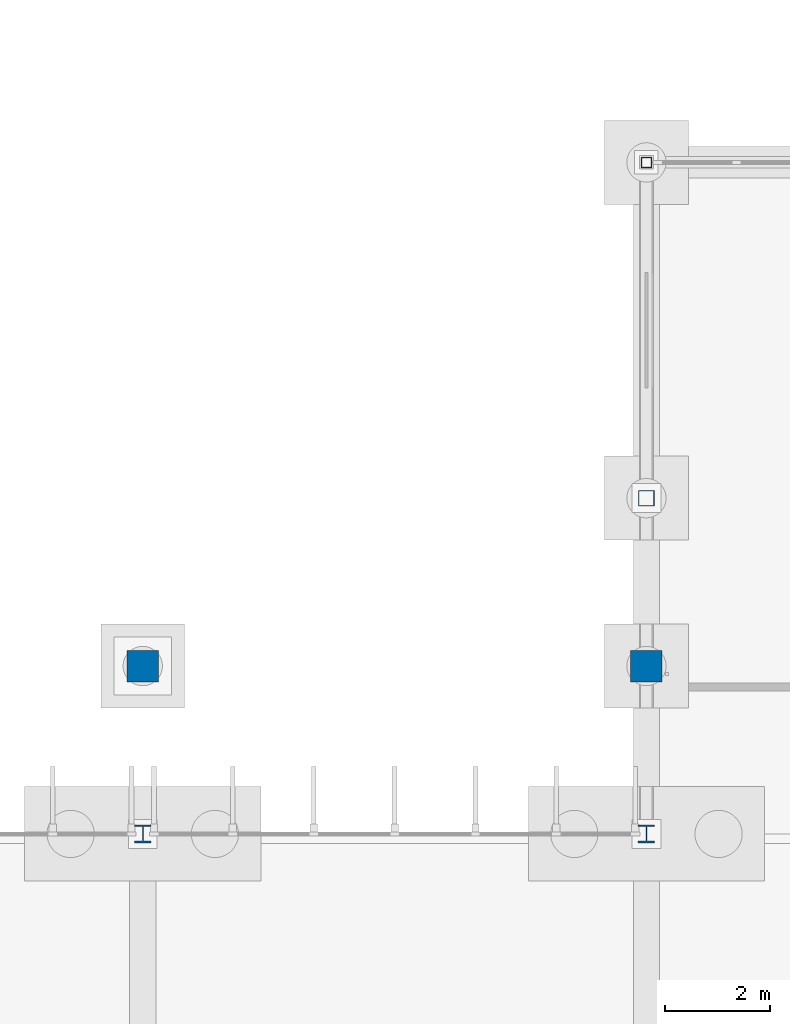
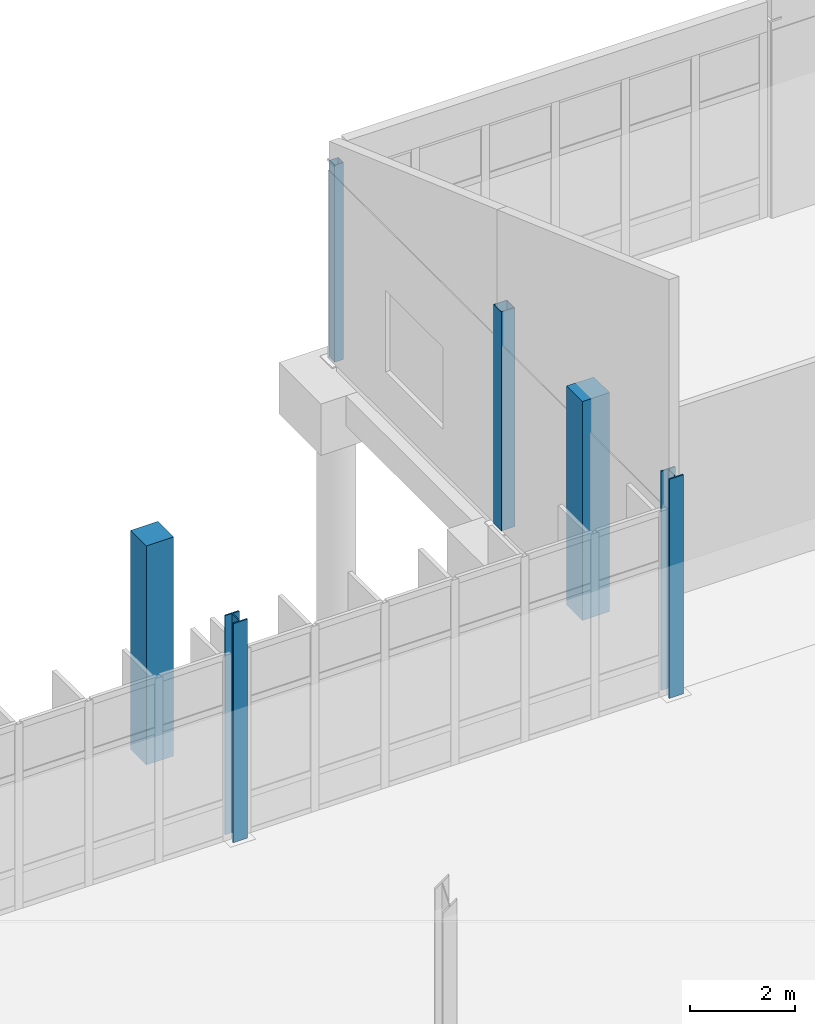
# One storey, part 10 of 111: 6 columns.
"""IFC4 building model written with IfcOpenShell, lengths in metres."""

from ifc_helpers import new_model, si_unit, direction, frame, origin, origin_2d, place, context, subcontext, project, spatial, rectangle, hollow_rectangle, i_section, extrude, material, material_profile, profile_set, type_object, element, save


model = new_model("IFC4")

# Units and contexts
model_context = context("Model", 3, precision=1e-05, world=origin(), true_north=direction((0.0, 1.0)))
body_context = subcontext(model_context, "Body", "Model", "MODEL_VIEW")
ifc_project = project(units=[si_unit("LENGTHUNIT", "METRE"), si_unit("AREAUNIT", "SQUARE_METRE"), si_unit("VOLUMEUNIT", "CUBIC_METRE"), si_unit("PLANEANGLEUNIT", "RADIAN"), si_unit("MASSUNIT", "GRAM", prefix="KILO")], contexts=[model_context])

# Site, building, storey
site_placement = place(None, origin())
site = spatial("IfcSite", under=ifc_project, at=site_placement, CompositionType="ELEMENT")
building_placement = place(site_placement, origin())
building = spatial("IfcBuilding", under=site, at=building_placement, Name="Dunescarp Central Library", CompositionType="ELEMENT")
storey_placement = place(building_placement, origin())
storey = spatial("IfcBuildingStorey", under=building, at=storey_placement, Name="L00", CompositionType="ELEMENT", Elevation=0.0)

# Columns
ifc_material_1 = material(Name="Concrete C40/50", Category="concrete")
ifc_material_profile_1 = material_profile(ifc_material_1, rectangle(XDim=0.60009765625, YDim=0.60009765625, at=origin_2d()), Name="RC 600x600")
ifc_profile_set_1 = profile_set([ifc_material_profile_1], Name="Concrete C40/50")
column_type_1 = type_object("IfcColumnType", Name="STR-COL-RC600", PredefinedType="COLUMN", material=ifc_profile_set_1)
for number, where, z_axis, x_axis, name in (
    (1, (48.0, 40.0, 0.0), (0.0, 0.0, 1.0), (1.0, 0.0, 0.0), "L00 column TERP-480-400"),
    (2, (57.60009765625, 40.0, 0.0), (0.0, 0.0, 1.0), (1.0, 0.0, 0.0), "L00 column TERP-576-400"),
):
    element("IfcColumn", number, at=place(storey_placement, frame(where, z_axis=z_axis, x_axis=x_axis)), inside=storey, type_object=column_type_1, Name=name, PredefinedType="COLUMN", context=body_context, shape_type="SweptSolid", body=[
        extrude(rectangle(XDim=0.60009765625, YDim=0.60009765625, at=origin_2d()), origin(), (0.0, 0.0, 1.0), 5.10009765625),
    ])
ifc_material_2 = material(Name="Steel S355J0", Category="steel")
ifc_material_profile_2 = material_profile(ifc_material_2, hollow_rectangle(XDim=0.199951171875, YDim=0.199951171875, WallThickness=0.008056640625, at=origin_2d()), Name="SHS 200x200x8")
ifc_profile_set_2 = profile_set([ifc_material_profile_2], Name="Steel S355J0")
column_type_2 = type_object("IfcColumnType", Name="STR-COL-SHS200", PredefinedType="COLUMN", material=ifc_profile_set_2)
column_1_placement = place(storey_placement, frame((57.60009765625, 49.60009765625, 0.0), z_axis=(0.0, 0.0, 1.0), x_axis=(1.0, 0.0, 0.0)))
element("IfcColumn", 3, at=column_1_placement, inside=storey, type_object=column_type_2, Name="L00 column CLN-576-496", PredefinedType="COLUMN", context=body_context, shape_type="SweptSolid", body=[
    extrude(hollow_rectangle(XDim=0.199951171875, YDim=0.199951171875, WallThickness=0.008056640625, at=origin_2d()), origin(), (0.0, 0.0, 1.0), 4.5859375),
])
ifc_material_profile_3 = material_profile(ifc_material_2, hollow_rectangle(XDim=0.300048828125, YDim=0.300048828125, WallThickness=0.012451171875, at=origin_2d()), Name="SHS 300x300x12.5")
ifc_profile_set_3 = profile_set([ifc_material_profile_3], Name="Steel S355J0")
column_type_3 = type_object("IfcColumnType", Name="STR-COL-SHS300", PredefinedType="COLUMN", material=ifc_profile_set_3)
column_2_placement = place(storey_placement, frame((57.60009765625, 43.199951171875, 0.0), z_axis=(0.0, 0.0, 1.0), x_axis=(1.0, 0.0, 0.0)))
element("IfcColumn", 4, at=column_2_placement, inside=storey, type_object=column_type_3, Name="L00 column CLN-576-432", PredefinedType="COLUMN", context=body_context, shape_type="SweptSolid", body=[
    extrude(hollow_rectangle(XDim=0.300048828125, YDim=0.300048828125, WallThickness=0.012451171875, at=origin_2d()), origin(), (0.0, 0.0, 1.0), 5.10009765625),
])
ifc_material_3 = material(Name="Steel S355JR", Category="steel")
ifc_material_profile_4 = material_profile(ifc_material_3, i_section(OverallWidth=0.314453125, OverallDepth=0.33984375, WebThickness=0.01904296875, FlangeThickness=0.031494140625, at=origin_2d()), Name="UC 305x305x198")
ifc_profile_set_4 = profile_set([ifc_material_profile_4], Name="Steel S355JR")
column_type_4 = type_object("IfcColumnType", Name="STR-COL-UC305X198", PredefinedType="COLUMN", material=ifc_profile_set_4)
for number, where, z_axis, x_axis, name in (
    (5, (48.0, 36.800048828125, 0.0), (0.0, 0.0, 1.0), (1.0, 0.0, 0.0), "L00 column V2-480-368"),
    (6, (57.60009765625, 36.800048828125, 0.0), (0.0, 0.0, 1.0), (1.0, 0.0, 0.0), "L00 column V2-576-368"),
):
    element("IfcColumn", number, at=place(storey_placement, frame(where, z_axis=z_axis, x_axis=x_axis)), inside=storey, type_object=column_type_4, Name=name, PredefinedType="COLUMN", context=body_context, shape_type="SweptSolid", body=[
        extrude(i_section(OverallWidth=0.314453125, OverallDepth=0.33984375, WebThickness=0.01904296875, FlangeThickness=0.031494140625, at=origin_2d()), origin(), (0.0, 0.0, 1.0), 5.10009765625),
    ])

save(model, "model.ifc")
